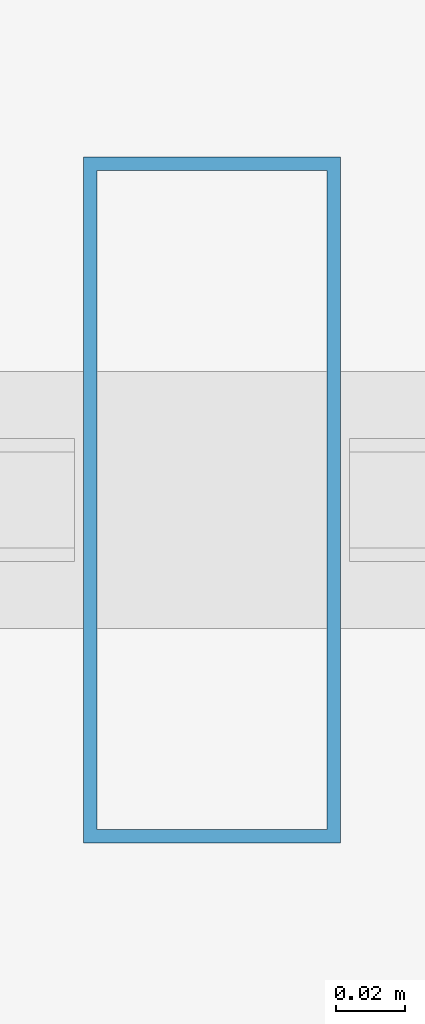
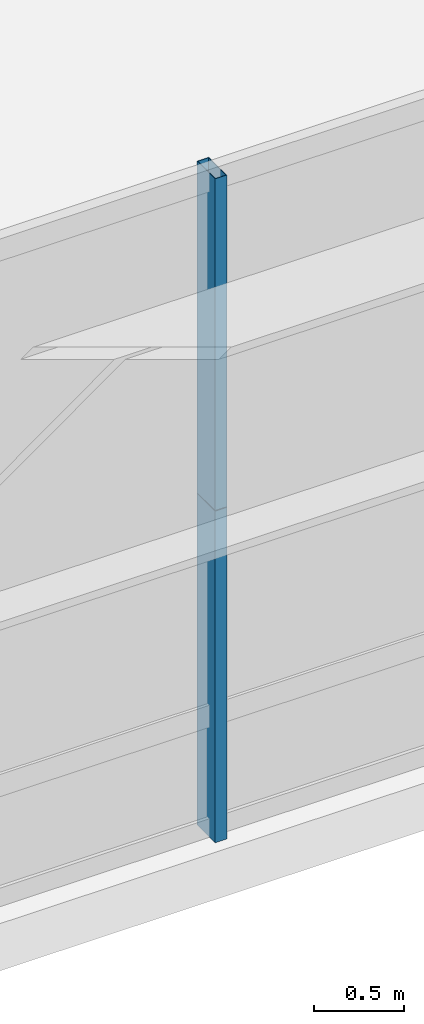
# One storey, part 13 of 34: 2 members, 1 element without a shape of its own.
"""IFC4 building model written with IfcOpenShell, lengths in metres."""

from ifc_helpers import new_model, si_unit, direction, frame, origin, origin_2d, place, context, subcontext, project, spatial, hollow_rectangle, extrude, source, transform, mapped, material, layer, layer_set, material_profile, profile_set, type_object, element, aggregate, save


model = new_model("IFC4")

# Units and contexts
model_context = context("Model", 3, precision=1e-05, world=origin(), true_north=direction((0.0, 1.0)))
body_context = subcontext(model_context, "Body", "Model", "MODEL_VIEW")
ifc_project = project(units=[si_unit("LENGTHUNIT", "METRE"), si_unit("AREAUNIT", "SQUARE_METRE"), si_unit("VOLUMEUNIT", "CUBIC_METRE"), si_unit("PLANEANGLEUNIT", "RADIAN"), si_unit("MASSUNIT", "GRAM", prefix="KILO"), si_unit("THERMODYNAMICTEMPERATUREUNIT", "KELVIN"), si_unit("POWERUNIT", "WATT")], contexts=[model_context])

# Site, building, storey
site_placement = place(None, origin())
site = spatial("IfcSite", under=ifc_project, at=site_placement, CompositionType="ELEMENT")
building_placement = place(site_placement, origin())
building = spatial("IfcBuilding", under=site, at=building_placement, Name="Yuzanri Waterfront Tower", CompositionType="ELEMENT")
storey_placement = place(building_placement, frame((0.0, 0.0, 25.800048828125)))
storey = spatial("IfcBuildingStorey", under=building, at=storey_placement, Name="L06", CompositionType="ELEMENT", Elevation=25.800048828125)

# Curtain wall, members
ifc_material_1 = material(Name="Anodized Architectural Bronze", Category="metal")
ifc_layer = layer(ifc_material_1, 0.159912109375)
ifc_layer_set = layer_set([ifc_layer], Name="Anodized Architectural Bronze")
curtain_wall_type = type_object("IfcCurtainWallType", Name="Anodized Bronze Podium Waterfront Double-Height Unitized Curtain Wall 8400", PredefinedType="NOTDEFINED", material=ifc_layer_set)
curtain_wall_placement = place(storey_placement, origin())
curtain_wall = element("IfcCurtainWall", 1, at=curtain_wall_placement, inside=storey, type_object=curtain_wall_type, Name="L06 Curtain Wall CW-L06-S2", PredefinedType="NOTDEFINED")
ifc_material_2 = material(Name="Anodized Architectural Bronze", Category="metal")
ifc_material_profile = material_profile(ifc_material_2, hollow_rectangle(XDim=0.074951171875, YDim=0.199951171875, WallThickness=0.00390625, at=origin_2d()), Name="CWM 75x200")
ifc_profile_set = profile_set([ifc_material_profile], Name="Anodized Architectural Bronze")
member_type = type_object("IfcMemberType", Name="Anodized Bronze Primary Curtain-Wall Mullion 75x200", PredefinedType="MULLION", material=ifc_profile_set)
shared_shape = source(origin(), body_context, "Body", "SweptSolid", [
    extrude(hollow_rectangle(XDim=0.074951171875, YDim=0.199951171875, WallThickness=0.00390625, at=origin_2d()), origin(), (0.0, 0.0, 1.0), 2.248046875),
])
member_1_placement = place(storey_placement, frame((47.75, 1.97998046875, 0.0), z_axis=(0.0, 0.0, 1.0), x_axis=(1.0, 0.0, 0.0)))
member_1 = element("IfcMember", 2, at=member_1_placement, type_object=member_type, Name="CW-L06-S2 Lower Mullion 01", PredefinedType="MULLION", context=body_context, shape_type="MappedRepresentation", body=[
    mapped(shared_shape, transform((0.0, 0.0, 0.0), scale=1.0)),
])
member_2_placement = place(storey_placement, frame((47.75, 1.97998046875, 2.251953125), z_axis=(0.0, 0.0, 1.0), x_axis=(1.0, 0.0, 0.0)))
member_2 = element("IfcMember", 3, at=member_2_placement, type_object=member_type, Name="CW-L06-S2 Upper Mullion 01", PredefinedType="MULLION", context=body_context, shape_type="MappedRepresentation", body=[
    mapped(shared_shape, transform((0.0, 0.0, 0.0), scale=1.0)),
])
aggregate(curtain_wall, [member_1, member_2])

save(model, "model.ifc")
